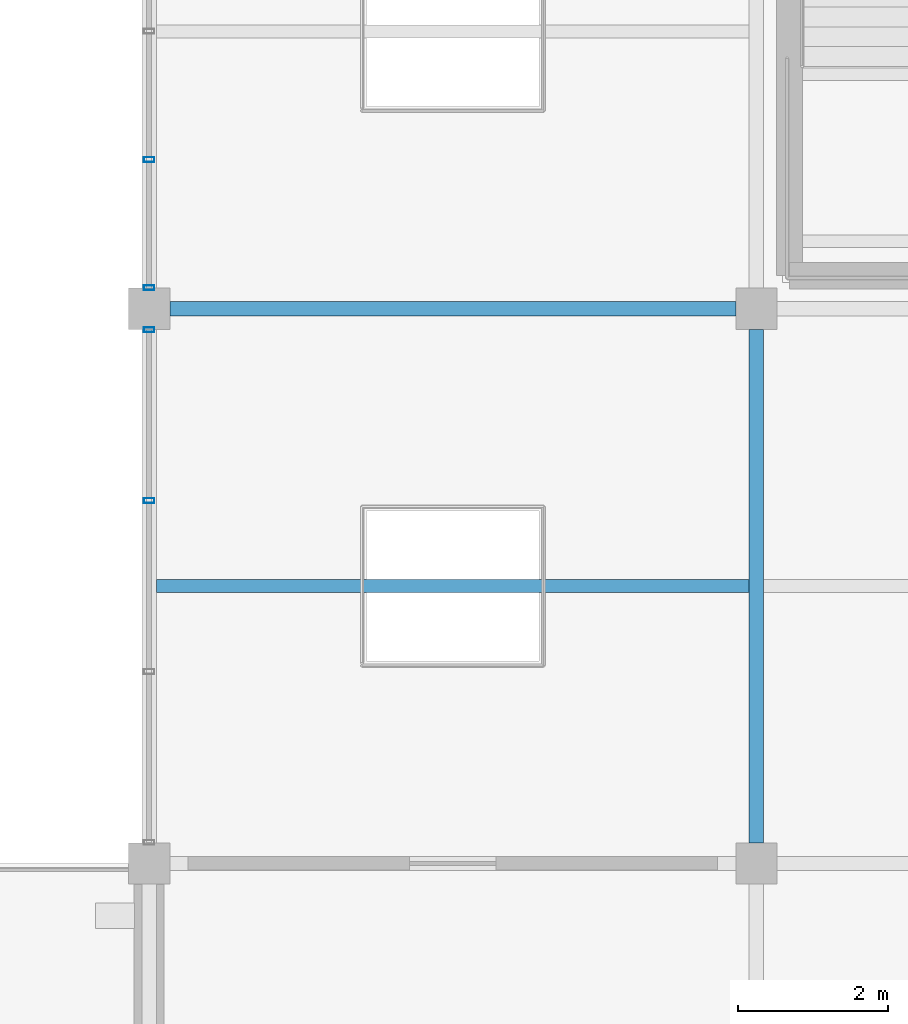
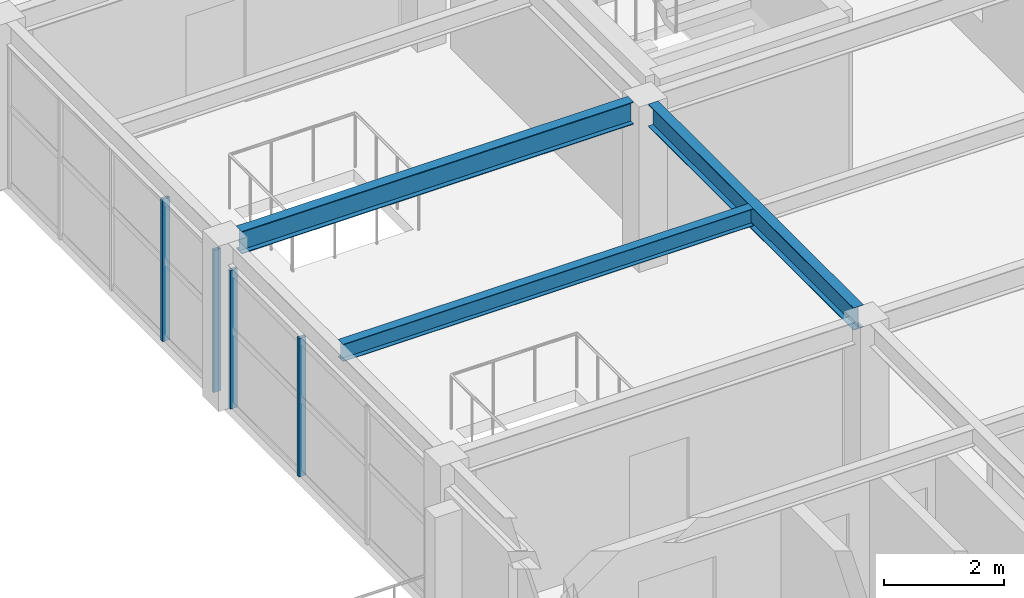
# One storey, part 78 of 121: 4 members, 3 beams, 2 elements without a shape of their own.
"""IFC4 building model written with IfcOpenShell, lengths in metres."""

from ifc_helpers import new_model, si_unit, direction, frame, origin, origin_2d, place, context, subcontext, project, spatial, hollow_rectangle, i_section, extrude, material, material_profile, profile_set, type_object, element, aggregate, save


model = new_model("IFC4")

# Units and contexts
model_context = context("Model", 3, precision=1e-05, world=origin(), true_north=direction((0.0, 1.0)))
body_context = subcontext(model_context, "Body", "Model", "MODEL_VIEW")
ifc_project = project(units=[si_unit("LENGTHUNIT", "METRE"), si_unit("AREAUNIT", "SQUARE_METRE"), si_unit("VOLUMEUNIT", "CUBIC_METRE"), si_unit("PLANEANGLEUNIT", "RADIAN"), si_unit("MASSUNIT", "GRAM", prefix="KILO")], contexts=[model_context])

# Site, building, storey
site_placement = place(None, origin())
site = spatial("IfcSite", under=ifc_project, at=site_placement, CompositionType="ELEMENT")
building_placement = place(site_placement, origin())
building = spatial("IfcBuilding", under=site, at=building_placement, Name="Cimatlan Art Gallery", CompositionType="ELEMENT")
storey_placement = place(building_placement, frame((0.0, 0.0, 10.199951171875)))
storey = spatial("IfcBuildingStorey", under=building, at=storey_placement, Name="L02", CompositionType="ELEMENT", Elevation=10.199951171875)

# Beams
ifc_material_1 = material(Name="Steel ASTM A992 Grade 50", Category="steel")
ifc_material_profile_1 = material_profile(ifc_material_1, i_section(OverallWidth=0.1708984375, OverallDepth=0.35107421875, WebThickness=0.0068359375, FlangeThickness=0.009765625, at=origin_2d()), Name="W14X30")
ifc_profile_set_1 = profile_set([ifc_material_profile_1], Name="Steel ASTM A992 Grade 50")
beam_type_1 = type_object("IfcBeamType", Name="BM-STL-W14X30", PredefinedType="JOIST", material=ifc_profile_set_1)
beam_1_placement = place(storey_placement, frame((147.8955078125, 42.39990234375, 3.194580078125), z_axis=(1.0, 0.0, 0.0), x_axis=(0.0, 1.0, 0.0)))
element("IfcBeam", 1, at=beam_1_placement, inside=storey, type_object=beam_type_1, Name="JST-L02-18-05", PredefinedType="JOIST", context=body_context, shape_type="SweptSolid", body=[
    extrude(i_section(OverallWidth=0.1708984375, OverallDepth=0.35107421875, WebThickness=0.0068359375, FlangeThickness=0.009765625, at=origin_2d()), origin(), (0.0, 0.0, 1.0), 7.908935546875),
])
ifc_material_profile_2 = material_profile(ifc_material_1, i_section(OverallWidth=0.19091796875, OverallDepth=0.45703125, WebThickness=0.009033203125, FlangeThickness=0.014404296875, at=origin_2d()), Name="W18X50")
ifc_profile_set_2 = profile_set([ifc_material_profile_2], Name="Steel ASTM A992 Grade 50")
beam_type_2 = type_object("IfcBeamType", Name="BM-STL-W18X50", PredefinedType="BEAM", material=ifc_profile_set_2)
beam_2_placement = place(storey_placement, frame((155.89990234375, 38.97509765625, 3.1416015625), z_axis=(0.0, 1.0, 0.0), x_axis=(-1.0, 0.0, 0.0)))
element("IfcBeam", 2, at=beam_2_placement, inside=storey, type_object=beam_type_2, Name="BM-Y-L02-19-05", PredefinedType="BEAM", context=body_context, shape_type="SweptSolid", body=[
    extrude(i_section(OverallWidth=0.19091796875, OverallDepth=0.45703125, WebThickness=0.009033203125, FlangeThickness=0.014404296875, at=origin_2d()), origin(), (0.0, 0.0, 1.0), 6.849853515625),
])
beam_3_placement = place(storey_placement, frame((148.074951171875, 46.10009765625, 3.1416015625), z_axis=(1.0, 0.0, 0.0), x_axis=(0.0, 1.0, 0.0)))
element("IfcBeam", 3, at=beam_3_placement, inside=storey, type_object=beam_type_2, Name="BM-X-L02-18-06", PredefinedType="BEAM", context=body_context, shape_type="SweptSolid", body=[
    extrude(i_section(OverallWidth=0.19091796875, OverallDepth=0.45703125, WebThickness=0.009033203125, FlangeThickness=0.014404296875, at=origin_2d()), origin(), (0.0, 0.0, 1.0), 7.550048828125),
])

# Curtain wall, members
ifc_material_2 = material(Name="Anodised bronze unitised curtain wall")
curtain_wall_type_1 = type_object("IfcCurtainWallType", Name="CW-V-06842X02823-B3", PredefinedType="NOTDEFINED", material=ifc_material_2)
curtain_wall_1_placement = place(storey_placement, origin())
curtain_wall_1 = element("IfcCurtainWall", 4, at=curtain_wall_1_placement, inside=storey, type_object=curtain_wall_type_1, Name="CW-L02-18-05-W", PredefinedType="NOTDEFINED")
ifc_material_3 = material(Name="Anodised bronze aluminium 6063-T6", Category="aluminium")
ifc_material_profile_3 = material_profile(ifc_material_3, hollow_rectangle(XDim=0.06494140625, YDim=0.139892578125, WallThickness=0.00390625, at=origin_2d()), Name="ALU65X140X4")
ifc_profile_set_3 = profile_set([ifc_material_profile_3], Name="Anodised bronze aluminium 6063-T6")
member_type = type_object("IfcMemberType", Name="CW-MUL-140", PredefinedType="MULLION", material=ifc_profile_set_3)
member_1_placement = place(storey_placement, frame((147.800048828125, 43.540283203125, 0.0), z_axis=(0.0, 0.0, 1.0), x_axis=(0.0, 1.0, 0.0)))
member_1 = element("IfcMember", 5, at=member_1_placement, type_object=member_type, Name="CW-L02-18-05-W-M3", PredefinedType="MULLION", context=body_context, shape_type="SweptSolid", body=[
    extrude(hollow_rectangle(XDim=0.06494140625, YDim=0.139892578125, WallThickness=0.00390625, at=origin_2d()), origin(), (0.0, 0.0, 1.0), 2.822998046875),
])
member_2_placement = place(storey_placement, frame((147.800048828125, 45.821044921875, 0.0), z_axis=(0.0, 0.0, 1.0), x_axis=(0.0, 1.0, 0.0)))
member_2 = element("IfcMember", 6, at=member_2_placement, type_object=member_type, Name="CW-L02-18-05-W-M4", PredefinedType="MULLION", context=body_context, shape_type="SweptSolid", body=[
    extrude(hollow_rectangle(XDim=0.06494140625, YDim=0.139892578125, WallThickness=0.00390625, at=origin_2d()), origin(), (0.0, 0.0, 1.0), 2.822998046875),
])
aggregate(curtain_wall_1, [member_1, member_2])

curtain_wall_type_2 = type_object("IfcCurtainWallType", Name="CW-V-06842X02898-B4", PredefinedType="NOTDEFINED", material=ifc_material_2)
curtain_wall_2_placement = place(storey_placement, origin())
curtain_wall_2 = element("IfcCurtainWall", 7, at=curtain_wall_2_placement, inside=storey, type_object=curtain_wall_type_2, Name="CW-L02-18-06-W", PredefinedType="NOTDEFINED")
member_3_placement = place(storey_placement, frame((147.800048828125, 46.37890625, 0.0), z_axis=(0.0, 0.0, 1.0), x_axis=(0.0, 1.0, 0.0)))
member_3 = element("IfcMember", 8, at=member_3_placement, type_object=member_type, Name="CW-L02-18-06-W-M1", PredefinedType="MULLION", context=body_context, shape_type="SweptSolid", body=[
    extrude(hollow_rectangle(XDim=0.06494140625, YDim=0.139892578125, WallThickness=0.00390625, at=origin_2d()), origin(), (0.0, 0.0, 1.0), 2.89794921875),
])
member_4_placement = place(storey_placement, frame((147.800048828125, 48.089599609375, 0.0), z_axis=(0.0, 0.0, 1.0), x_axis=(0.0, 1.0, 0.0)))
member_4 = element("IfcMember", 9, at=member_4_placement, type_object=member_type, Name="CW-L02-18-06-W-M2", PredefinedType="MULLION", context=body_context, shape_type="SweptSolid", body=[
    extrude(hollow_rectangle(XDim=0.06494140625, YDim=0.139892578125, WallThickness=0.00390625, at=origin_2d()), origin(), (0.0, 0.0, 1.0), 2.89794921875),
])
aggregate(curtain_wall_2, [member_3, member_4])

save(model, "model.ifc")
